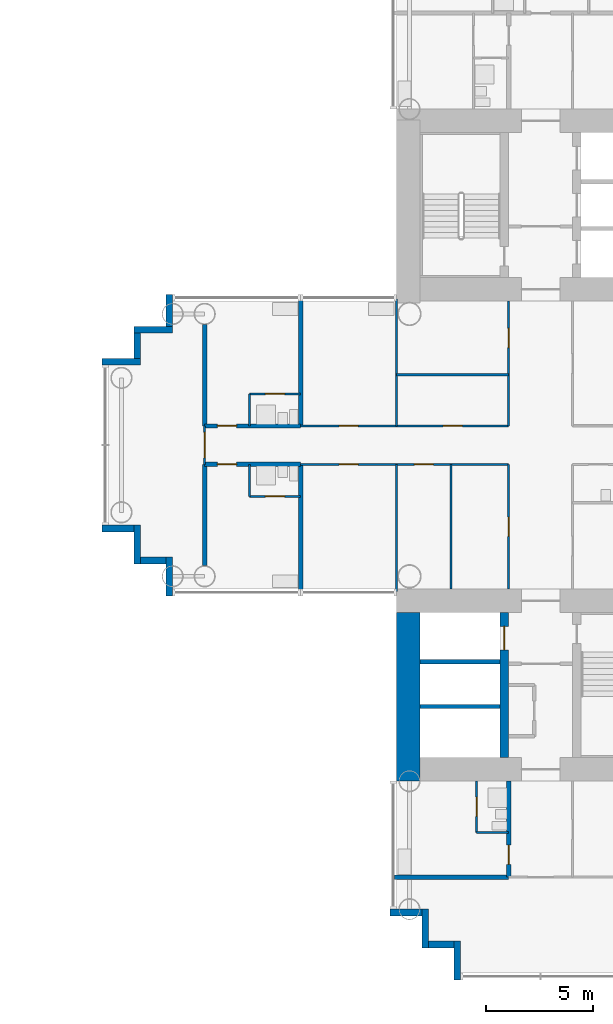
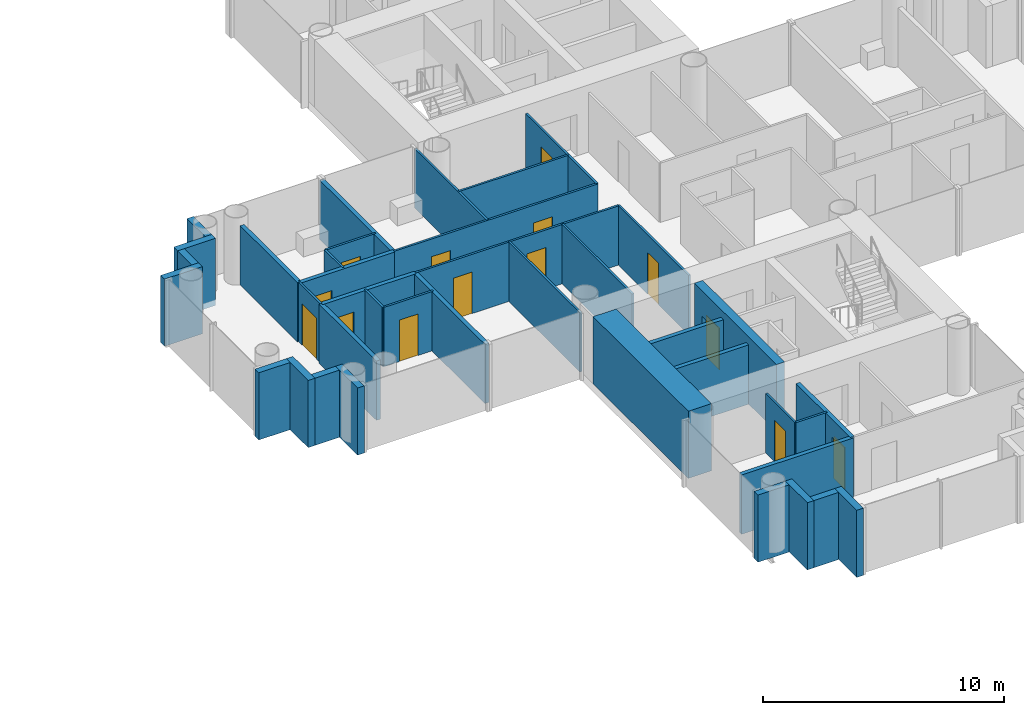
# One storey, part 12 of 21: 39 walls, 14 doors, 14 openings.
"""IFC4 building model written with IfcOpenShell, lengths in metres."""

from ifc_helpers import new_model, si_unit, direction, frame, frame_2d, origin, place, context, subcontext, project, spatial, rectangle, extrude, material, layer, layer_set, type_object, element, fill, save


model = new_model("IFC4")

# Units and contexts
model_context = context("Model", 3, precision=1e-05, world=origin(), true_north=direction((0.0, 1.0)))
body_context = subcontext(model_context, "Body", "Model", "MODEL_VIEW")
ifc_project = project(units=[si_unit("LENGTHUNIT", "METRE"), si_unit("AREAUNIT", "SQUARE_METRE"), si_unit("VOLUMEUNIT", "CUBIC_METRE"), si_unit("PLANEANGLEUNIT", "RADIAN"), si_unit("MASSUNIT", "GRAM", prefix="KILO")], contexts=[model_context])

# Site, building, storey
site_placement = place(None, origin())
site = spatial("IfcSite", under=ifc_project, at=site_placement, CompositionType="ELEMENT")
building_placement = place(site_placement, origin())
building = spatial("IfcBuilding", under=site, at=building_placement, Name="Ipe Terrace Towers", CompositionType="ELEMENT")
storey_placement = place(building_placement, frame((0.0, 0.0, 41.5)))
storey = spatial("IfcBuildingStorey", under=building, at=storey_placement, Name="L10", CompositionType="ELEMENT", Elevation=41.5)

# Walls
ifc_material_1 = material(Name="Concrete C40/50 with buff precast cladding", Category="concrete")
ifc_layer_1 = layer(ifc_material_1, 0.320068359375)
ifc_layer_set_1 = layer_set([ifc_layer_1], Name="BUFF CLADDING WALL 320")
wall_type_1 = type_object("IfcWallType", Name="BUFF CLADDING WALL 320", PredefinedType="STANDARD", material=ifc_layer_set_1)
wall_1_placement = place(storey_placement, frame((18.590087890625, 7.070068359375, -0.300048828125), z_axis=(0.0, 0.0, 1.0), x_axis=(0.0, -1.0, 0.0)))
element("IfcWall", 1, at=wall_1_placement, inside=storey, type_object=wall_type_1, Name="T2-W-L10-34a wall", PredefinedType="STANDARD", context=body_context, shape_type="SweptSolid", body=[
    extrude(rectangle(XDim=1.5, YDim=0.320068359375, at=frame_2d((0.75, 0.0))), origin(), (0.0, 0.0, 1.0), 3.400146484375),
])
wall_2_placement = place(storey_placement, frame((18.75, 5.409912109375, -0.300048828125), z_axis=(0.0, 0.0, 1.0), x_axis=(-1.0, 0.0, 0.0)))
element("IfcWall", 2, at=wall_2_placement, inside=storey, type_object=wall_type_1, Name="T2-W-L10-35a wall", PredefinedType="STANDARD", context=body_context, shape_type="SweptSolid", body=[
    extrude(rectangle(XDim=1.820068359375, YDim=0.320068359375, at=frame_2d((0.91015625, 0.0))), origin(), (0.0, 0.0, 1.0), 3.400146484375),
])
wall_3_placement = place(storey_placement, frame((17.090087890625, 5.25, -0.300048828125), z_axis=(0.0, 0.0, 1.0), x_axis=(0.0, -1.0, 0.0)))
element("IfcWall", 3, at=wall_3_placement, inside=storey, type_object=wall_type_1, Name="T2-W-L10-36a wall", PredefinedType="STANDARD", context=body_context, shape_type="SweptSolid", body=[
    extrude(rectangle(XDim=1.179931640625, YDim=0.320068359375, at=frame_2d((0.58984375, 0.0))), origin(), (0.0, 0.0, 1.0), 3.400146484375),
])
wall_4_placement = place(storey_placement, frame((17.25, 3.909912109375, -0.300048828125), z_axis=(0.0, 0.0, 1.0), x_axis=(-1.0, 0.0, 0.0)))
element("IfcWall", 4, at=wall_4_placement, inside=storey, type_object=wall_type_1, Name="T2-W-L10-37a wall", PredefinedType="STANDARD", context=body_context, shape_type="SweptSolid", body=[
    extrude(rectangle(XDim=1.820068359375, YDim=0.320068359375, at=frame_2d((0.91015625, 0.0))), origin(), (0.0, 0.0, 1.0), 3.400146484375),
])
wall_5_placement = place(storey_placement, frame((15.429931640625, -3.909912109375, -0.300048828125), z_axis=(0.0, 0.0, 1.0), x_axis=(1.0, 0.0, 0.0)))
element("IfcWall", 5, at=wall_5_placement, inside=storey, type_object=wall_type_1, Name="T2-W-L10-39a wall", PredefinedType="STANDARD", context=body_context, shape_type="SweptSolid", body=[
    extrude(rectangle(XDim=1.5, YDim=0.320068359375, at=frame_2d((0.75, 0.0))), origin(), (0.0, 0.0, 1.0), 3.400146484375),
])
wall_6_placement = place(storey_placement, frame((17.090087890625, -3.75, -0.300048828125), z_axis=(0.0, 0.0, 1.0), x_axis=(0.0, -1.0, 0.0)))
element("IfcWall", 6, at=wall_6_placement, inside=storey, type_object=wall_type_1, Name="T2-W-L10-40a wall", PredefinedType="STANDARD", context=body_context, shape_type="SweptSolid", body=[
    extrude(rectangle(XDim=1.820068359375, YDim=0.320068359375, at=frame_2d((0.91015625, 0.0))), origin(), (0.0, 0.0, 1.0), 3.400146484375),
])
wall_7_placement = place(storey_placement, frame((17.25, -5.409912109375, -0.300048828125), z_axis=(0.0, 0.0, 1.0), x_axis=(1.0, 0.0, 0.0)))
element("IfcWall", 7, at=wall_7_placement, inside=storey, type_object=wall_type_1, Name="T2-W-L10-41a wall", PredefinedType="STANDARD", context=body_context, shape_type="SweptSolid", body=[
    extrude(rectangle(XDim=1.179931640625, YDim=0.320068359375, at=frame_2d((0.58984375, 0.0))), origin(), (0.0, 0.0, 1.0), 3.400146484375),
])
wall_8_placement = place(storey_placement, frame((18.590087890625, -5.25, -0.300048828125), z_axis=(0.0, 0.0, 1.0), x_axis=(0.0, -1.0, 0.0)))
element("IfcWall", 8, at=wall_8_placement, inside=storey, type_object=wall_type_1, Name="T2-W-L10-42a wall", PredefinedType="STANDARD", context=body_context, shape_type="SweptSolid", body=[
    extrude(rectangle(XDim=1.820068359375, YDim=0.320068359375, at=frame_2d((0.91015625, 0.0))), origin(), (0.0, 0.0, 1.0), 3.400146484375),
])
wall_9_placement = place(storey_placement, frame((28.929931640625, -21.909912109375, -0.300048828125), z_axis=(0.0, 0.0, 1.0), x_axis=(1.0, 0.0, 0.0)))
element("IfcWall", 9, at=wall_9_placement, inside=storey, type_object=wall_type_1, Name="T2-W-L10-47a wall", PredefinedType="STANDARD", context=body_context, shape_type="SweptSolid", body=[
    extrude(rectangle(XDim=1.5, YDim=0.320068359375, at=frame_2d((0.75, 0.0))), origin(), (0.0, 0.0, 1.0), 3.400146484375),
])
wall_10_placement = place(storey_placement, frame((30.590087890625, -21.75, -0.300048828125), z_axis=(0.0, 0.0, 1.0), x_axis=(0.0, -1.0, 0.0)))
element("IfcWall", 10, at=wall_10_placement, inside=storey, type_object=wall_type_1, Name="T2-W-L10-48a wall", PredefinedType="STANDARD", context=body_context, shape_type="SweptSolid", body=[
    extrude(rectangle(XDim=1.820068359375, YDim=0.320068359375, at=frame_2d((0.91015625, 0.0))), origin(), (0.0, 0.0, 1.0), 3.400146484375),
])
wall_11_placement = place(storey_placement, frame((30.75, -23.409912109375, -0.300048828125), z_axis=(0.0, 0.0, 1.0), x_axis=(1.0, 0.0, 0.0)))
element("IfcWall", 11, at=wall_11_placement, inside=storey, type_object=wall_type_1, Name="T2-W-L10-49a wall", PredefinedType="STANDARD", context=body_context, shape_type="SweptSolid", body=[
    extrude(rectangle(XDim=1.179931640625, YDim=0.320068359375, at=frame_2d((0.58984375, 0.0))), origin(), (0.0, 0.0, 1.0), 3.400146484375),
])
wall_12_placement = place(storey_placement, frame((32.090087890625, -23.25, -0.300048828125), z_axis=(0.0, 0.0, 1.0), x_axis=(0.0, -1.0, 0.0)))
element("IfcWall", 12, at=wall_12_placement, inside=storey, type_object=wall_type_1, Name="T2-W-L10-50a wall", PredefinedType="STANDARD", context=body_context, shape_type="SweptSolid", body=[
    extrude(rectangle(XDim=1.820068359375, YDim=0.320068359375, at=frame_2d((0.91015625, 0.0))), origin(), (0.0, 0.0, 1.0), 3.400146484375),
])
ifc_material_2 = material(Name="Gypsum board partition", Category="plasterboard")
ifc_layer_2 = layer(ifc_material_2, 0.10009765625)
ifc_layer_set_2 = layer_set([ifc_layer_2], Name="Gypsum board partition 100 mm")
wall_type_2 = type_object("IfcWallType", Name="Gypsum board partition 100 mm", PredefinedType="PARTITIONING", material=ifc_layer_set_2)
wall_13_placement = place(storey_placement, frame((34.5, -18.14990234375, 0.0), z_axis=(0.0, 0.0, 1.0), x_axis=(-1.0, 0.0, 0.0)))
element("IfcWall", 13, at=wall_13_placement, inside=storey, type_object=wall_type_2, Name="Gypsum board partition T2 L10 W03", PredefinedType="PARTITIONING", context=body_context, shape_type="SweptSolid", body=[
    extrude(rectangle(XDim=1.5, YDim=0.10009765625, at=frame_2d((0.75, 0.0))), origin(), (0.0, 0.0, 1.0), 3.0),
])

# Wall, opening, door
wall_14_placement = place(storey_placement, frame((24.75, -2.39990234375, 0.0), z_axis=(0.0, 0.0, 1.0), x_axis=(-1.0, 0.0, 0.0)))
wall_14 = element("IfcWall", 14, at=wall_14_placement, inside=storey, type_object=wall_type_2, Name="Gypsum board partition T2 L10 W06", PredefinedType="PARTITIONING", context=body_context, shape_type="SweptSolid", body=[
    extrude(rectangle(XDim=2.39990234375, YDim=0.10009765625, at=frame_2d((1.199951171875, 0.0))), origin(), (0.0, 0.0, 1.0), 3.0),
])
opening_1_placement = place(wall_14_placement, frame((0.75, 0.0, 0.0)))
opening_1 = element("IfcOpeningElement", 15, at=opening_1_placement, cuts=wall_14, Name="Opening T2-Z1B-11", PredefinedType="OPENING", context=body_context, shape_type="SweptSolid", body=[
    extrude(rectangle(XDim=0.89990234375, YDim=2.10009765625, at=frame_2d((0.449951171875, 1.050048828125))), frame((0.0, 0.06005859375, 0.0), z_axis=(0.0, -1.0, 0.0), x_axis=(1.0, 0.0, 0.0)), (0.0, 0.0, 1.0), 0.1201171875),
])
ifc_material_3 = material(Name="Timber door leaf", Category="wood")
door_type_1 = type_object("IfcDoorType", Name="Bathroom door 900 x 2100", OperationType="NOTDEFINED", PredefinedType="DOOR", material=ifc_material_3)
door_1_placement = place(opening_1_placement, origin())
door_1 = element("IfcDoor", 16, at=door_1_placement, inside=storey, type_object=door_type_1, Name="Bathroom door T2-Z1B-11", OperationType="SINGLE_SWING_LEFT", OverallHeight=2.10009765625, OverallWidth=0.89990234375, PredefinedType="DOOR", context=body_context, shape_type="SweptSolid", body=[
    extrude(rectangle(XDim=0.89990234375, YDim=2.10009765625, at=frame_2d((0.449951171875, 1.050048828125))), frame((0.0, 0.02490234375, 0.0), z_axis=(0.0, -1.0, 0.0), x_axis=(1.0, 0.0, 0.0)), (0.0, 0.0, 1.0), 0.050048828125),
])
fill(opening_1, door_1)

# Wall, openings, doors
wall_15_placement = place(storey_placement, frame((34.5, -0.89990234375, 0.0), z_axis=(0.0, 0.0, 1.0), x_axis=(-1.0, 0.0, 0.0)))
wall_15 = element("IfcWall", 17, at=wall_15_placement, inside=storey, type_object=wall_type_2, Name="Gypsum board partition T2 L10 W10", PredefinedType="PARTITIONING", context=body_context, shape_type="SweptSolid", body=[
    extrude(rectangle(XDim=9.75, YDim=0.10009765625, at=frame_2d((4.875, 0.0))), origin(), (0.0, 0.0, 1.0), 3.0),
])
opening_2_placement = place(wall_15_placement, frame((3.52490234375, 0.0, 0.0)))
opening_2 = element("IfcOpeningElement", 18, at=opening_2_placement, cuts=wall_15, Name="Opening T2-Z1B-05", PredefinedType="OPENING", context=body_context, shape_type="SweptSolid", body=[
    extrude(rectangle(XDim=0.89990234375, YDim=2.10009765625, at=frame_2d((0.449951171875, 1.050048828125))), frame((0.0, 0.06005859375, 0.0), z_axis=(0.0, -1.0, 0.0), x_axis=(1.0, 0.0, 0.0)), (0.0, 0.0, 1.0), 0.1201171875),
])
opening_3_placement = place(wall_15_placement, frame((7.050048828125, 0.0, 0.0)))
opening_3 = element("IfcOpeningElement", 19, at=opening_3_placement, cuts=wall_15, Name="Opening T2-Z1B-09", PredefinedType="OPENING", context=body_context, shape_type="SweptSolid", body=[
    extrude(rectangle(XDim=0.89990234375, YDim=2.10009765625, at=frame_2d((0.449951171875, 1.050048828125))), frame((0.0, 0.06005859375, 0.0), z_axis=(0.0, -1.0, 0.0), x_axis=(1.0, 0.0, 0.0)), (0.0, 0.0, 1.0), 0.1201171875),
])
ifc_material_4 = material(Name="Timber door leaf", Category="wood")
door_type_2 = type_object("IfcDoorType", Name="Lounge door 900 x 2100", OperationType="NOTDEFINED", PredefinedType="DOOR", material=ifc_material_4)
door_2_placement = place(opening_2_placement, origin())
door_2 = element("IfcDoor", 20, at=door_2_placement, inside=storey, type_object=door_type_2, Name="Lounge door T2-Z1B-05", OperationType="SINGLE_SWING_RIGHT", OverallHeight=2.10009765625, OverallWidth=0.89990234375, PredefinedType="DOOR", context=body_context, shape_type="SweptSolid", body=[
    extrude(rectangle(XDim=0.89990234375, YDim=2.10009765625, at=frame_2d((0.449951171875, 1.050048828125))), frame((0.0, 0.02490234375, 0.0), z_axis=(0.0, -1.0, 0.0), x_axis=(1.0, 0.0, 0.0)), (0.0, 0.0, 1.0), 0.050048828125),
])
fill(opening_2, door_2)
door_3_placement = place(opening_3_placement, origin())
door_3 = element("IfcDoor", 21, at=door_3_placement, inside=storey, type_object=door_type_2, Name="Lounge door T2-Z1B-09", OperationType="SINGLE_SWING_LEFT", OverallHeight=2.10009765625, OverallWidth=0.89990234375, PredefinedType="DOOR", context=body_context, shape_type="SweptSolid", body=[
    extrude(rectangle(XDim=0.89990234375, YDim=2.10009765625, at=frame_2d((0.449951171875, 1.050048828125))), frame((0.0, 0.02490234375, 0.0), z_axis=(0.0, -1.0, 0.0), x_axis=(1.0, 0.0, 0.0)), (0.0, 0.0, 1.0), 0.050048828125),
])
fill(opening_3, door_3)

wall_16_placement = place(storey_placement, frame((34.5, 0.89990234375, 0.0), z_axis=(0.0, 0.0, 1.0), x_axis=(-1.0, 0.0, 0.0)))
wall_16 = element("IfcWall", 22, at=wall_16_placement, inside=storey, type_object=wall_type_2, Name="Gypsum board partition T2 L10 W14", PredefinedType="PARTITIONING", context=body_context, shape_type="SweptSolid", body=[
    extrude(rectangle(XDim=9.75, YDim=0.10009765625, at=frame_2d((4.875, 0.0))), origin(), (0.0, 0.0, 1.0), 3.0),
])
opening_4_placement = place(wall_16_placement, frame((2.175048828125, 0.0, 0.0)))
opening_4 = element("IfcOpeningElement", 23, at=opening_4_placement, cuts=wall_16, Name="Opening T2-Z1B-02", PredefinedType="OPENING", context=body_context, shape_type="SweptSolid", body=[
    extrude(rectangle(XDim=0.89990234375, YDim=2.10009765625, at=frame_2d((0.449951171875, 1.050048828125))), frame((0.0, 0.06005859375, 0.0), z_axis=(0.0, -1.0, 0.0), x_axis=(1.0, 0.0, 0.0)), (0.0, 0.0, 1.0), 0.1201171875),
])
opening_5_placement = place(wall_16_placement, frame((7.050048828125, 0.0, 0.0)))
opening_5 = element("IfcOpeningElement", 24, at=opening_5_placement, cuts=wall_16, Name="Opening T2-Z1B-12", PredefinedType="OPENING", context=body_context, shape_type="SweptSolid", body=[
    extrude(rectangle(XDim=0.89990234375, YDim=2.10009765625, at=frame_2d((0.449951171875, 1.050048828125))), frame((0.0, 0.06005859375, 0.0), z_axis=(0.0, -1.0, 0.0), x_axis=(1.0, 0.0, 0.0)), (0.0, 0.0, 1.0), 0.1201171875),
])
door_4_placement = place(opening_4_placement, origin())
door_4 = element("IfcDoor", 25, at=door_4_placement, inside=storey, type_object=door_type_2, Name="Lounge door T2-Z1B-02", OperationType="SINGLE_SWING_LEFT", OverallHeight=2.10009765625, OverallWidth=0.89990234375, PredefinedType="DOOR", context=body_context, shape_type="SweptSolid", body=[
    extrude(rectangle(XDim=0.89990234375, YDim=2.10009765625, at=frame_2d((0.449951171875, 1.050048828125))), frame((0.0, 0.02490234375, 0.0), z_axis=(0.0, -1.0, 0.0), x_axis=(1.0, 0.0, 0.0)), (0.0, 0.0, 1.0), 0.050048828125),
])
fill(opening_4, door_4)
door_5_placement = place(opening_5_placement, origin())
door_5 = element("IfcDoor", 26, at=door_5_placement, inside=storey, type_object=door_type_2, Name="Lounge door T2-Z1B-12", OperationType="SINGLE_SWING_RIGHT", OverallHeight=2.10009765625, OverallWidth=0.89990234375, PredefinedType="DOOR", context=body_context, shape_type="SweptSolid", body=[
    extrude(rectangle(XDim=0.89990234375, YDim=2.10009765625, at=frame_2d((0.449951171875, 1.050048828125))), frame((0.0, 0.02490234375, 0.0), z_axis=(0.0, -1.0, 0.0), x_axis=(1.0, 0.0, 0.0)), (0.0, 0.0, 1.0), 0.050048828125),
])
fill(opening_5, door_5)

# Wall, opening, door
wall_17_placement = place(storey_placement, frame((24.75, 2.39990234375, 0.0), z_axis=(0.0, 0.0, 1.0), x_axis=(-1.0, 0.0, 0.0)))
wall_17 = element("IfcWall", 27, at=wall_17_placement, inside=storey, type_object=wall_type_2, Name="Gypsum board partition T2 L10 W16", PredefinedType="PARTITIONING", context=body_context, shape_type="SweptSolid", body=[
    extrude(rectangle(XDim=2.39990234375, YDim=0.10009765625, at=frame_2d((1.199951171875, 0.0))), origin(), (0.0, 0.0, 1.0), 3.0),
])
opening_6_placement = place(wall_17_placement, frame((0.75, 0.0, 0.0)))
opening_6 = element("IfcOpeningElement", 28, at=opening_6_placement, cuts=wall_17, Name="Opening T2-Z1B-14", PredefinedType="OPENING", context=body_context, shape_type="SweptSolid", body=[
    extrude(rectangle(XDim=0.89990234375, YDim=2.10009765625, at=frame_2d((0.449951171875, 1.050048828125))), frame((0.0, 0.06005859375, 0.0), z_axis=(0.0, -1.0, 0.0), x_axis=(1.0, 0.0, 0.0)), (0.0, 0.0, 1.0), 0.1201171875),
])
door_6_placement = place(opening_6_placement, origin())
door_6 = element("IfcDoor", 29, at=door_6_placement, inside=storey, type_object=door_type_1, Name="Bathroom door T2-Z1B-14", OperationType="SINGLE_SWING_RIGHT", OverallHeight=2.10009765625, OverallWidth=0.89990234375, PredefinedType="DOOR", context=body_context, shape_type="SweptSolid", body=[
    extrude(rectangle(XDim=0.89990234375, YDim=2.10009765625, at=frame_2d((0.449951171875, 1.050048828125))), frame((0.0, 0.02490234375, 0.0), z_axis=(0.0, -1.0, 0.0), x_axis=(1.0, 0.0, 0.0)), (0.0, 0.0, 1.0), 0.050048828125),
])
fill(opening_6, door_6)

# Wall
wall_18_placement = place(storey_placement, frame((34.5, 3.300048828125, 0.0), z_axis=(0.0, 0.0, 1.0), x_axis=(-1.0, 0.0, 0.0)))
element("IfcWall", 30, at=wall_18_placement, inside=storey, type_object=wall_type_2, Name="Gypsum board partition T2 L10 W17", PredefinedType="PARTITIONING", context=body_context, shape_type="SweptSolid", body=[
    extrude(rectangle(XDim=5.25, YDim=0.10009765625, at=frame_2d((2.625, 0.0))), origin(), (0.0, 0.0, 1.0), 3.0),
])

# Wall, opening, door
wall_19_placement = place(storey_placement, frame((34.5, -6.75, 0.0), z_axis=(0.0, 0.0, 1.0), x_axis=(0.0, 1.0, 0.0)))
wall_19 = element("IfcWall", 31, at=wall_19_placement, inside=storey, type_object=wall_type_2, Name="Gypsum board partition T2 L10 W37", PredefinedType="PARTITIONING", context=body_context, shape_type="SweptSolid", body=[
    extrude(rectangle(XDim=5.85009765625, YDim=0.10009765625, at=frame_2d((2.925048828125, 0.0))), origin(), (0.0, 0.0, 1.0), 3.0),
])
opening_7_placement = place(wall_19_placement, frame((2.47509765625, 0.0, 0.0)))
opening_7 = element("IfcOpeningElement", 32, at=opening_7_placement, cuts=wall_19, Name="Opening T2-Z1B-04", PredefinedType="OPENING", context=body_context, shape_type="SweptSolid", body=[
    extrude(rectangle(XDim=0.89990234375, YDim=2.10009765625, at=frame_2d((0.449951171875, 1.050048828125))), frame((0.0, 0.06005859375, 0.0), z_axis=(0.0, -1.0, 0.0), x_axis=(1.0, 0.0, 0.0)), (0.0, 0.0, 1.0), 0.1201171875),
])
door_7_placement = place(opening_7_placement, origin())
door_7 = element("IfcDoor", 33, at=door_7_placement, inside=storey, type_object=door_type_2, Name="Lounge door T2-Z1B-04", OperationType="SINGLE_SWING_RIGHT", OverallHeight=2.10009765625, OverallWidth=0.89990234375, PredefinedType="DOOR", context=body_context, shape_type="SweptSolid", body=[
    extrude(rectangle(XDim=0.89990234375, YDim=2.10009765625, at=frame_2d((0.449951171875, 1.050048828125))), frame((0.0, 0.02490234375, 0.0), z_axis=(0.0, -1.0, 0.0), x_axis=(1.0, 0.0, 0.0)), (0.0, 0.0, 1.0), 0.050048828125),
])
fill(opening_7, door_7)

wall_20_placement = place(storey_placement, frame((34.5, 0.89990234375, 0.0), z_axis=(0.0, 0.0, 1.0), x_axis=(0.0, 1.0, 0.0)))
wall_20 = element("IfcWall", 34, at=wall_20_placement, inside=storey, type_object=wall_type_2, Name="Gypsum board partition T2 L10 W38", PredefinedType="PARTITIONING", context=body_context, shape_type="SweptSolid", body=[
    extrude(rectangle(XDim=5.85009765625, YDim=0.10009765625, at=frame_2d((2.925048828125, 0.0))), origin(), (0.0, 0.0, 1.0), 3.0),
])
opening_8_placement = place(wall_20_placement, frame((3.675048828125, 0.0, 0.0)))
opening_8 = element("IfcOpeningElement", 35, at=opening_8_placement, cuts=wall_20, Name="Opening T2-Z1B-03", PredefinedType="OPENING", context=body_context, shape_type="SweptSolid", body=[
    extrude(rectangle(XDim=0.89990234375, YDim=2.10009765625, at=frame_2d((0.449951171875, 1.050048828125))), frame((0.0, 0.06005859375, 0.0), z_axis=(0.0, -1.0, 0.0), x_axis=(1.0, 0.0, 0.0)), (0.0, 0.0, 1.0), 0.1201171875),
])
door_8_placement = place(opening_8_placement, origin())
door_8 = element("IfcDoor", 36, at=door_8_placement, inside=storey, type_object=door_type_2, Name="Lounge door T2-Z1B-03", OperationType="SINGLE_SWING_LEFT", OverallHeight=2.10009765625, OverallWidth=0.89990234375, PredefinedType="DOOR", context=body_context, shape_type="SweptSolid", body=[
    extrude(rectangle(XDim=0.89990234375, YDim=2.10009765625, at=frame_2d((0.449951171875, 1.050048828125))), frame((0.0, 0.02490234375, 0.0), z_axis=(0.0, -1.0, 0.0), x_axis=(1.0, 0.0, 0.0)), (0.0, 0.0, 1.0), 0.050048828125),
])
fill(opening_8, door_8)

wall_21_placement = place(storey_placement, frame((33.0, -18.14990234375, 0.0), z_axis=(0.0, 0.0, 1.0), x_axis=(0.0, 1.0, 0.0)))
wall_21 = element("IfcWall", 37, at=wall_21_placement, inside=storey, type_object=wall_type_2, Name="Gypsum board partition T2 L10 W42", PredefinedType="PARTITIONING", context=body_context, shape_type="SweptSolid", body=[
    extrude(rectangle(XDim=2.39990234375, YDim=0.10009765625, at=frame_2d((1.199951171875, 0.0))), origin(), (0.0, 0.0, 1.0), 3.0),
])
opening_9_placement = place(wall_21_placement, frame((0.75, 0.0, 0.0)))
opening_9 = element("IfcOpeningElement", 38, at=opening_9_placement, cuts=wall_21, Name="Opening T2-Z1B-32", PredefinedType="OPENING", context=body_context, shape_type="SweptSolid", body=[
    extrude(rectangle(XDim=0.89990234375, YDim=2.10009765625, at=frame_2d((0.449951171875, 1.050048828125))), frame((0.0, 0.06005859375, 0.0), z_axis=(0.0, -1.0, 0.0), x_axis=(1.0, 0.0, 0.0)), (0.0, 0.0, 1.0), 0.1201171875),
])
door_9_placement = place(opening_9_placement, origin())
door_9 = element("IfcDoor", 39, at=door_9_placement, inside=storey, type_object=door_type_1, Name="Bathroom door T2-Z1B-32", OperationType="SINGLE_SWING_RIGHT", OverallHeight=2.10009765625, OverallWidth=0.89990234375, PredefinedType="DOOR", context=body_context, shape_type="SweptSolid", body=[
    extrude(rectangle(XDim=0.89990234375, YDim=2.10009765625, at=frame_2d((0.449951171875, 1.050048828125))), frame((0.0, 0.02490234375, 0.0), z_axis=(0.0, -1.0, 0.0), x_axis=(1.0, 0.0, 0.0)), (0.0, 0.0, 1.0), 0.050048828125),
])
fill(opening_9, door_9)

# Walls
wall_22_placement = place(storey_placement, frame((31.800048828125, -6.75, 0.0), z_axis=(0.0, 0.0, 1.0), x_axis=(0.0, 1.0, 0.0)))
element("IfcWall", 40, at=wall_22_placement, inside=storey, type_object=wall_type_2, Name="Gypsum board partition T2 L10 W44", PredefinedType="PARTITIONING", context=body_context, shape_type="SweptSolid", body=[
    extrude(rectangle(XDim=5.85009765625, YDim=0.10009765625, at=frame_2d((2.925048828125, 0.0))), origin(), (0.0, 0.0, 1.0), 3.0),
])
for number, where, z_axis, x_axis, name in (
    (41, (29.25, -6.85009765625, 0.0), (0.0, 0.0, 1.0), (0.0, 1.0, 0.0), "Gypsum board partition T2 L10 W45"),
    (42, (29.25, 0.89990234375, 0.0), (0.0, 0.0, 1.0), (0.0, 1.0, 0.0), "Gypsum board partition T2 L10 W46"),
):
    element("IfcWall", number, at=place(storey_placement, frame(where, z_axis=z_axis, x_axis=x_axis)), inside=storey, type_object=wall_type_2, Name=name, PredefinedType="PARTITIONING", context=body_context, shape_type="SweptSolid", body=[
        extrude(rectangle(XDim=5.9501953125, YDim=0.10009765625, at=frame_2d((2.97509765625, 0.0))), origin(), (0.0, 0.0, 1.0), 3.0),
    ])
for number, where, z_axis, x_axis, name in (
    (43, (22.35009765625, -2.39990234375, 0.0), (0.0, 0.0, 1.0), (0.0, 1.0, 0.0), "Gypsum board partition T2 L10 W49"),
    (44, (22.35009765625, 0.89990234375, 0.0), (0.0, 0.0, 1.0), (0.0, 1.0, 0.0), "Gypsum board partition T2 L10 W50"),
):
    element("IfcWall", number, at=place(storey_placement, frame(where, z_axis=z_axis, x_axis=x_axis)), inside=storey, type_object=wall_type_2, Name=name, PredefinedType="PARTITIONING", context=body_context, shape_type="SweptSolid", body=[
        extrude(rectangle(XDim=1.5, YDim=0.10009765625, at=frame_2d((0.75, 0.0))), origin(), (0.0, 0.0, 1.0), 3.0),
    ])

# Wall, opening, door
wall_23_placement = place(storey_placement, frame((20.25, -0.89990234375, 0.0), z_axis=(0.0, 0.0, 1.0), x_axis=(0.0, 1.0, 0.0)))
wall_23 = element("IfcWall", 45, at=wall_23_placement, inside=storey, type_object=wall_type_2, Name="Gypsum board partition T2 L10 W51", PredefinedType="PARTITIONING", context=body_context, shape_type="SweptSolid", body=[
    extrude(rectangle(XDim=1.7998046875, YDim=0.10009765625, at=frame_2d((0.89990234375, 0.0))), origin(), (0.0, 0.0, 1.0), 3.0),
])
opening_10_placement = place(wall_23_placement, frame((0.300048828125, 0.0, 0.0)))
opening_10 = element("IfcOpeningElement", 46, at=opening_10_placement, cuts=wall_23, Name="Opening T2-Z1B-15", PredefinedType="OPENING", context=body_context, shape_type="SweptSolid", body=[
    extrude(rectangle(XDim=1.199951171875, YDim=2.10009765625, at=frame_2d((0.60009765625, 1.050048828125))), frame((0.0, 0.06005859375, 0.0), z_axis=(0.0, -1.0, 0.0), x_axis=(1.0, 0.0, 0.0)), (0.0, 0.0, 1.0), 0.1201171875),
])
ifc_material_5 = material(Name="Timber door leaf", Category="wood")
door_type_3 = type_object("IfcDoorType", Name="Lounge door 1200 x 2100", OperationType="NOTDEFINED", PredefinedType="DOOR", material=ifc_material_5)
door_10_placement = place(opening_10_placement, origin())
door_10 = element("IfcDoor", 47, at=door_10_placement, inside=storey, type_object=door_type_3, Name="Lounge door T2-Z1B-15", OperationType="SINGLE_SWING_LEFT", OverallHeight=2.10009765625, OverallWidth=1.199951171875, PredefinedType="DOOR", context=body_context, shape_type="SweptSolid", body=[
    extrude(rectangle(XDim=1.199951171875, YDim=2.10009765625, at=frame_2d((0.60009765625, 1.050048828125))), frame((0.0, 0.02490234375, 0.0), z_axis=(0.0, -1.0, 0.0), x_axis=(1.0, 0.0, 0.0)), (0.0, 0.0, 1.0), 0.050048828125),
])
fill(opening_10, door_10)

# Walls
ifc_material_6 = material(Name="Gypsum board party wall", Category="plasterboard")
ifc_layer_3 = layer(ifc_material_6, 0.199951171875)
ifc_layer_set_3 = layer_set([ifc_layer_3], Name="Gypsum board party wall 200 mm")
wall_type_3 = type_object("IfcWallType", Name="Gypsum board party wall 200 mm", PredefinedType="SOLIDWALL", material=ifc_layer_set_3)
for number, where, z_axis, x_axis, name in (
    (48, (30.35009765625, -10.14990234375, 0.0), (0.0, 0.0, 1.0), (1.0, 0.0, 0.0), "Gypsum board party wall T2 L10 t2c2-shaft-div1"),
    (49, (30.35009765625, -12.25, 0.0), (0.0, 0.0, 1.0), (1.0, 0.0, 0.0), "Gypsum board party wall T2 L10 t2c2-shaft-div2"),
):
    element("IfcWall", number, at=place(storey_placement, frame(where, z_axis=z_axis, x_axis=x_axis)), inside=storey, type_object=wall_type_3, Name=name, PredefinedType="SOLIDWALL", context=body_context, shape_type="SweptSolid", body=[
        extrude(rectangle(XDim=3.75, YDim=0.199951171875, at=frame_2d((1.875, 0.0))), origin(), (0.0, 0.0, 1.0), 3.0),
    ])
wall_24_placement = place(storey_placement, frame((34.5, -20.25, 0.0), z_axis=(0.0, 0.0, 1.0), x_axis=(-1.0, 0.0, 0.0)))
element("IfcWall", 50, at=wall_24_placement, inside=storey, type_object=wall_type_3, Name="Gypsum board party wall T2 L10 W02", PredefinedType="SOLIDWALL", context=body_context, shape_type="SweptSolid", body=[
    extrude(rectangle(XDim=5.35009765625, YDim=0.199951171875, at=frame_2d((2.675048828125, 0.0))), origin(), (0.0, 0.0, 1.0), 3.0),
])

# Wall, opening, door
wall_25_placement = place(storey_placement, frame((24.75, -0.89990234375, 0.0), z_axis=(0.0, 0.0, 1.0), x_axis=(-1.0, 0.0, 0.0)))
wall_25 = element("IfcWall", 51, at=wall_25_placement, inside=storey, type_object=wall_type_3, Name="Gypsum board party wall T2 L10 W11", PredefinedType="SOLIDWALL", context=body_context, shape_type="SweptSolid", body=[
    extrude(rectangle(XDim=4.5, YDim=0.199951171875, at=frame_2d((2.25, 0.0))), origin(), (0.0, 0.0, 1.0), 3.0),
])
opening_11_placement = place(wall_25_placement, frame((3.0, 0.0, 0.0)))
opening_11 = element("IfcOpeningElement", 52, at=opening_11_placement, cuts=wall_25, Name="Opening T2-Z1B-10", PredefinedType="OPENING", context=body_context, shape_type="SweptSolid", body=[
    extrude(rectangle(XDim=0.89990234375, YDim=2.10009765625, at=frame_2d((0.449951171875, 1.050048828125))), frame((0.0, 0.10986328125, 0.0), z_axis=(0.0, -1.0, 0.0), x_axis=(1.0, 0.0, 0.0)), (0.0, 0.0, 1.0), 0.219970703125),
])
ifc_material_7 = material(Name="Fire-rated timber door leaf", Category="wood")
door_type_4 = type_object("IfcDoorType", Name="Flat entrance door 900 x 2100 FD30S", OperationType="NOTDEFINED", PredefinedType="DOOR", material=ifc_material_7)
door_11_placement = place(opening_11_placement, origin())
door_11 = element("IfcDoor", 53, at=door_11_placement, inside=storey, type_object=door_type_4, Name="Flat entrance door T2-Z1B-10", OperationType="SINGLE_SWING_LEFT", OverallHeight=2.10009765625, OverallWidth=0.89990234375, PredefinedType="DOOR", context=body_context, shape_type="SweptSolid", body=[
    extrude(rectangle(XDim=0.89990234375, YDim=2.10009765625, at=frame_2d((0.449951171875, 1.050048828125))), frame((0.0, 0.02490234375, 0.0), z_axis=(0.0, -1.0, 0.0), x_axis=(1.0, 0.0, 0.0)), (0.0, 0.0, 1.0), 0.050048828125),
])
fill(opening_11, door_11)

wall_26_placement = place(storey_placement, frame((24.75, 0.89990234375, 0.0), z_axis=(0.0, 0.0, 1.0), x_axis=(-1.0, 0.0, 0.0)))
wall_26 = element("IfcWall", 54, at=wall_26_placement, inside=storey, type_object=wall_type_3, Name="Gypsum board party wall T2 L10 W15", PredefinedType="SOLIDWALL", context=body_context, shape_type="SweptSolid", body=[
    extrude(rectangle(XDim=4.5, YDim=0.199951171875, at=frame_2d((2.25, 0.0))), origin(), (0.0, 0.0, 1.0), 3.0),
])
opening_12_placement = place(wall_26_placement, frame((3.0, 0.0, 0.0)))
opening_12 = element("IfcOpeningElement", 55, at=opening_12_placement, cuts=wall_26, Name="Opening T2-Z1B-13", PredefinedType="OPENING", context=body_context, shape_type="SweptSolid", body=[
    extrude(rectangle(XDim=0.89990234375, YDim=2.10009765625, at=frame_2d((0.449951171875, 1.050048828125))), frame((0.0, 0.10986328125, 0.0), z_axis=(0.0, -1.0, 0.0), x_axis=(1.0, 0.0, 0.0)), (0.0, 0.0, 1.0), 0.219970703125),
])
door_12_placement = place(opening_12_placement, origin())
door_12 = element("IfcDoor", 56, at=door_12_placement, inside=storey, type_object=door_type_4, Name="Flat entrance door T2-Z1B-13", OperationType="SINGLE_SWING_RIGHT", OverallHeight=2.10009765625, OverallWidth=0.89990234375, PredefinedType="DOOR", context=body_context, shape_type="SweptSolid", body=[
    extrude(rectangle(XDim=0.89990234375, YDim=2.10009765625, at=frame_2d((0.449951171875, 1.050048828125))), frame((0.0, 0.02490234375, 0.0), z_axis=(0.0, -1.0, 0.0), x_axis=(1.0, 0.0, 0.0)), (0.0, 0.0, 1.0), 0.050048828125),
])
fill(opening_12, door_12)

wall_27_placement = place(storey_placement, frame((34.5, -20.25, 0.0), z_axis=(0.0, 0.0, 1.0), x_axis=(0.0, 1.0, 0.0)))
wall_27 = element("IfcWall", 57, at=wall_27_placement, inside=storey, type_object=wall_type_3, Name="Gypsum board party wall T2 L10 W39", PredefinedType="SOLIDWALL", context=body_context, shape_type="SweptSolid", body=[
    extrude(rectangle(XDim=4.5, YDim=0.199951171875, at=frame_2d((2.25, 0.0))), origin(), (0.0, 0.0, 1.0), 3.0),
])
opening_13_placement = place(wall_27_placement, frame((0.60009765625, 0.0, 0.0)))
opening_13 = element("IfcOpeningElement", 58, at=opening_13_placement, cuts=wall_27, Name="Opening T2-Z1B-31", PredefinedType="OPENING", context=body_context, shape_type="SweptSolid", body=[
    extrude(rectangle(XDim=0.89990234375, YDim=2.10009765625, at=frame_2d((0.449951171875, 1.050048828125))), frame((0.0, 0.10986328125, 0.0), z_axis=(0.0, -1.0, 0.0), x_axis=(1.0, 0.0, 0.0)), (0.0, 0.0, 1.0), 0.219970703125),
])
door_13_placement = place(opening_13_placement, origin())
door_13 = element("IfcDoor", 59, at=door_13_placement, inside=storey, type_object=door_type_4, Name="Flat entrance door T2-Z1B-31", OperationType="SINGLE_SWING_RIGHT", OverallHeight=2.10009765625, OverallWidth=0.89990234375, PredefinedType="DOOR", context=body_context, shape_type="SweptSolid", body=[
    extrude(rectangle(XDim=0.89990234375, YDim=2.10009765625, at=frame_2d((0.449951171875, 1.050048828125))), frame((0.0, 0.02490234375, 0.0), z_axis=(0.0, -1.0, 0.0), x_axis=(1.0, 0.0, 0.0)), (0.0, 0.0, 1.0), 0.050048828125),
])
fill(opening_13, door_13)

# Walls
for number, where, z_axis, x_axis, name in (
    (60, (24.75, -6.85009765625, 0.0), (0.0, 0.0, 1.0), (0.0, 1.0, 0.0), "Gypsum board party wall T2 L10 W47"),
    (61, (24.75, 0.89990234375, 0.0), (0.0, 0.0, 1.0), (0.0, 1.0, 0.0), "Gypsum board party wall T2 L10 W48"),
):
    element("IfcWall", number, at=place(storey_placement, frame(where, z_axis=z_axis, x_axis=x_axis)), inside=storey, type_object=wall_type_3, Name=name, PredefinedType="SOLIDWALL", context=body_context, shape_type="SweptSolid", body=[
        extrude(rectangle(XDim=5.9501953125, YDim=0.199951171875, at=frame_2d((2.97509765625, 0.0))), origin(), (0.0, 0.0, 1.0), 3.0),
    ])
for number, where, z_axis, x_axis, name in (
    (62, (20.25, -5.64990234375, 0.0), (0.0, 0.0, 1.0), (0.0, 1.0, 0.0), "Gypsum board party wall T2 L10 W52"),
    (63, (20.25, 0.89990234375, 0.0), (0.0, 0.0, 1.0), (0.0, 1.0, 0.0), "Gypsum board party wall T2 L10 W53"),
):
    element("IfcWall", number, at=place(storey_placement, frame(where, z_axis=z_axis, x_axis=x_axis)), inside=storey, type_object=wall_type_3, Name=name, PredefinedType="SOLIDWALL", context=body_context, shape_type="SweptSolid", body=[
        extrude(rectangle(XDim=4.75, YDim=0.199951171875, at=frame_2d((2.375, 0.0))), origin(), (0.0, 0.0, 1.0), 3.0),
    ])
ifc_material_8 = material(Name="Concrete C60/75", Category="concrete")
ifc_layer_4 = layer(ifc_material_8, 1.10009765625)
ifc_layer_set_4 = layer_set([ifc_layer_4], Name="RW1100 CORE WALL 1100 C60-75")
wall_type_4 = type_object("IfcWallType", Name="RW1100 CORE WALL 1100 C60-75", PredefinedType="SHEAR", material=ifc_layer_set_4)
wall_28_placement = place(storey_placement, frame((29.800048828125, -7.85009765625, 0.0), z_axis=(0.0, 0.0, 1.0), x_axis=(0.0, -1.0, 0.0)))
element("IfcWall", 64, at=wall_28_placement, inside=storey, type_object=wall_type_4, Name="Core wall T2-C2-Z1-W04", PredefinedType="SHEAR", context=body_context, shape_type="SweptSolid", body=[
    extrude(rectangle(XDim=7.89990234375, YDim=1.10009765625, at=frame_2d((3.949951171875, 0.0))), origin(), (0.0, 0.0, 1.0), 3.39990234375),
])

# Wall, opening, door
ifc_material_9 = material(Name="Concrete C60/75", Category="concrete")
ifc_layer_5 = layer(ifc_material_9, 0.39990234375)
ifc_layer_set_5 = layer_set([ifc_layer_5], Name="RW400 CORE SPINE WALL 400 C60-75")
wall_type_5 = type_object("IfcWallType", Name="RW400 CORE SPINE WALL 400 C60-75", PredefinedType="SHEAR", material=ifc_layer_set_5)
wall_29_placement = place(storey_placement, frame((34.300048828125, -14.64990234375, 0.0), z_axis=(0.0, 0.0, 1.0), x_axis=(0.0, 1.0, 0.0)))
wall_29 = element("IfcWall", 65, at=wall_29_placement, inside=storey, type_object=wall_type_5, Name="Core spine wall T2-C2-Z1-SW1", PredefinedType="SHEAR", context=body_context, shape_type="SweptSolid", body=[
    extrude(rectangle(XDim=6.7998046875, YDim=0.39990234375, at=frame_2d((3.39990234375, 0.0))), origin(), (0.0, 0.0, 1.0), 3.39990234375),
])
opening_14_placement = place(wall_29_placement, frame((5.050048828125, 0.0, 0.0)))
opening_14 = element("IfcOpeningElement", 66, at=opening_14_placement, cuts=wall_29, Name="Opening T2C2-LD1", PredefinedType="OPENING", context=body_context, shape_type="SweptSolid", body=[
    extrude(rectangle(XDim=1.10009765625, YDim=2.10009765625, at=frame_2d((0.550048828125, 1.050048828125))), frame((0.0, 0.2099609375, 0.0), z_axis=(0.0, -1.0, 0.0), x_axis=(1.0, 0.0, 0.0)), (0.0, 0.0, 1.0), 0.419921875),
])
ifc_material_10 = material(Name="Fire-rated timber door leaf", Category="wood")
door_type_5 = type_object("IfcDoorType", Name="Sliding door 1100 x 2100 FD60", OperationType="SLIDING_TO_LEFT", PredefinedType="DOOR", material=ifc_material_10)
door_14_placement = place(opening_14_placement, origin())
door_14 = element("IfcDoor", 67, at=door_14_placement, inside=storey, type_object=door_type_5, Name="Sliding door T2C2-LD1", OperationType="SLIDING_TO_LEFT", OverallHeight=2.10009765625, OverallWidth=1.10009765625, PredefinedType="DOOR", context=body_context, shape_type="SweptSolid", body=[
    extrude(rectangle(XDim=1.10009765625, YDim=2.10009765625, at=frame_2d((0.550048828125, 1.050048828125))), frame((0.0, 0.02490234375, 0.0), z_axis=(0.0, -1.0, 0.0), x_axis=(1.0, 0.0, 0.0)), (0.0, 0.0, 1.0), 0.050048828125),
])
fill(opening_14, door_14)

save(model, "model.ifc")
